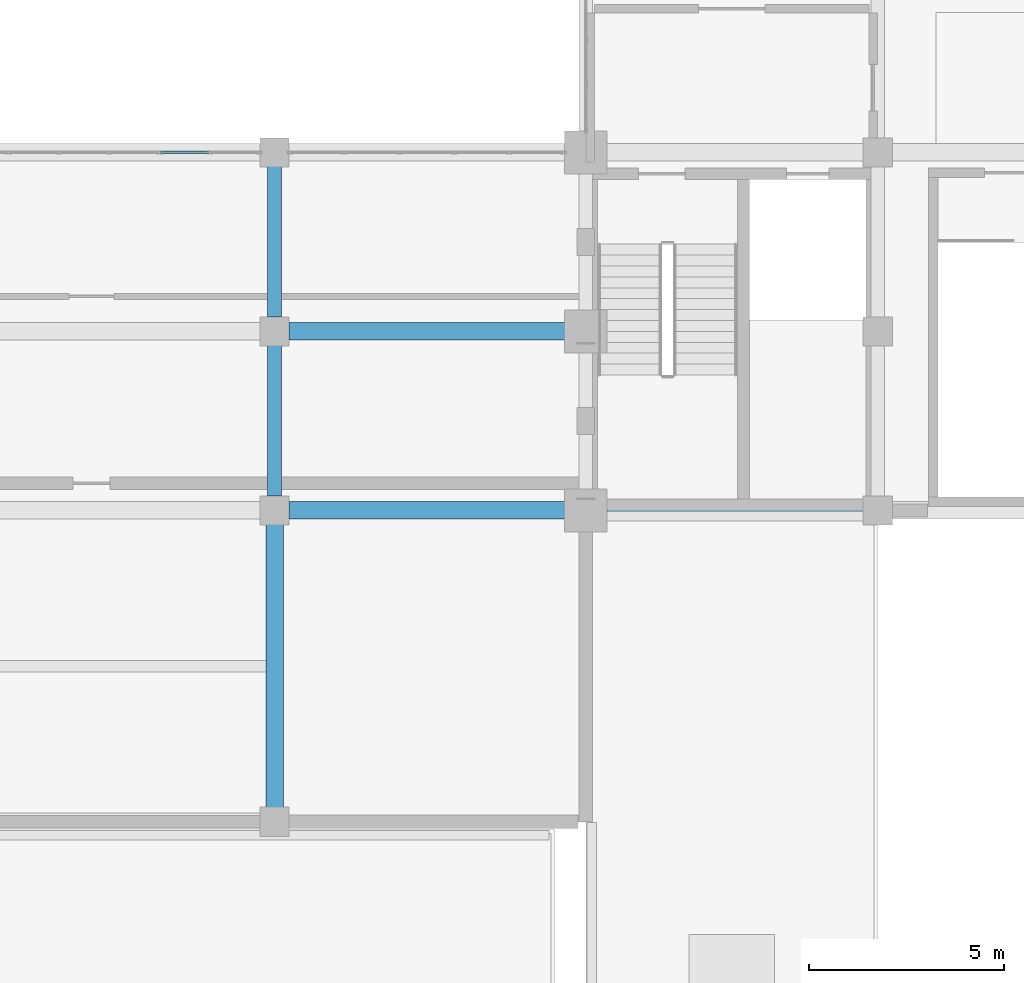
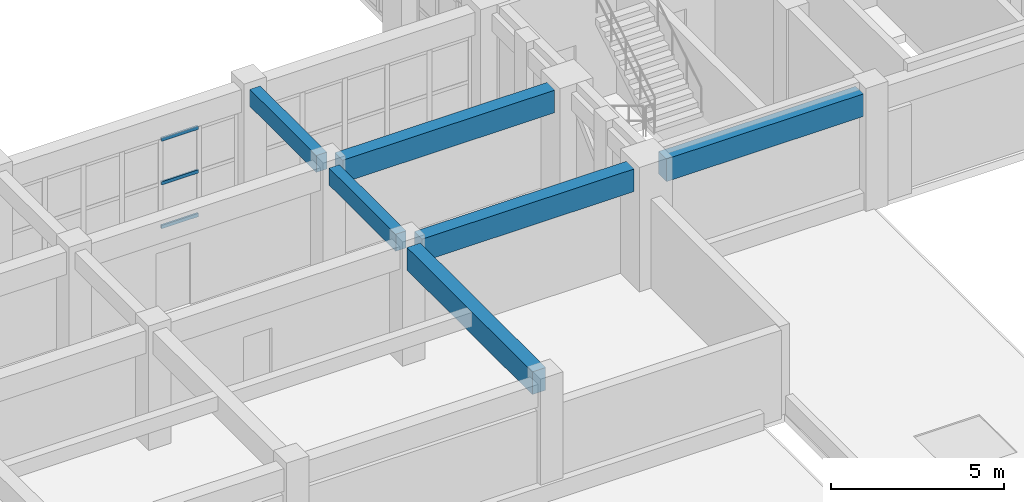
# One storey, part 5 of 90: 6 beams, 3 members, 1 element without a shape of its own.
"""IFC4 building model written with IfcOpenShell, lengths in metres."""

import ifcopenshell
import ifcopenshell.guid

model = None  # the IFC model being written
_history = None  # IfcOwnerHistory: only IFC2X3 demands one
_inside = {}  # id of a spatial element -> (the spatial element, [elements in it])
_under = {}  # id of a project, library or spatial element -> (it, [spatial elements below it])
_declared = {}  # id of a project -> (the project, [libraries it declares])
_typed = {}  # id of a type object -> (the type object, [elements of that type])
_made_of = {}  # id of a material, layer set ... -> (it, [elements and type objects made of it])


def new_model(schema):
    """Start an empty IFC model of exactly this schema.

    Asked for "IFC4X3", IfcOpenShell would pick the latest addendum, in which some entities
    have other attributes; the version numbers below select the first issue.
    IFC2X3 requires an IfcOwnerHistory on every rooted entity: one is made here for all.
    """
    global model, _history
    if schema == "IFC4X3":
        model = ifcopenshell.file(schema_version=(4, 3, 0, 0))
    else:
        model = ifcopenshell.file(schema=schema)
    _inside.clear()
    _under.clear()
    _declared.clear()
    _typed.clear()
    _made_of.clear()
    _history = None
    if model.schema == "IFC2X3":
        org = make("IfcOrganization", Name="unknown")
        user = make(
            "IfcPersonAndOrganization",
            ThePerson=make("IfcPerson", FamilyName="unknown"),
            TheOrganization=org,
        )
        app = make(
            "IfcApplication",
            ApplicationDeveloper=org,
            Version="unknown",
            ApplicationFullName="unknown",
            ApplicationIdentifier="unknown",
        )
        _history = make(
            "IfcOwnerHistory",
            OwningUser=user,
            OwningApplication=app,
            ChangeAction="ADDED",
            CreationDate=0,
        )
    return model


def make(cls, **values):
    """One entity of the class cls with the attributes given. An attribute that is None is left unset."""
    return model.create_entity(
        cls, **{name: value for name, value in values.items() if value is not None}
    )


def rooted(cls, **values):
    """An entity with a GlobalId (a new one), such as an element, a storey or a relation."""
    return make(cls, GlobalId=ifcopenshell.guid.new(), OwnerHistory=_history, **values)


def si_unit(unit_type, name, prefix=None):
    """IfcSIUnit, for example si_unit("LENGTHUNIT", "METRE", prefix="MILLI")."""
    return make("IfcSIUnit", UnitType=unit_type, Prefix=prefix, Name=name)


def assignment(units):
    """IfcUnitAssignment: the units of a project."""
    return None if units is None else make("IfcUnitAssignment", Units=units)


def point(xyz):
    """IfcCartesianPoint."""
    return None if xyz is None else make("IfcCartesianPoint", Coordinates=xyz)


def direction(xyz):
    """IfcDirection."""
    return None if xyz is None else make("IfcDirection", DirectionRatios=xyz)


def frame(location, z_axis=None, x_axis=None):
    """IfcAxis2Placement3D, a coordinate frame: its origin and axes. An axis left out is left unset."""
    return make(
        "IfcAxis2Placement3D",
        Location=point(location),
        Axis=direction(z_axis),
        RefDirection=direction(x_axis),
    )


def frame_2d(location, x_axis=None):
    """IfcAxis2Placement2D, a coordinate frame in the plane: its origin and x axis."""
    return make(
        "IfcAxis2Placement2D", Location=point(location), RefDirection=direction(x_axis)
    )


def origin():
    """The frame at (0, 0, 0) with its axes left unset."""
    return frame((0.0, 0.0, 0.0))


def origin_2d():
    """The frame at (0, 0) in the plane with its x axis left unset."""
    return frame_2d((0.0, 0.0))


def place(relative_to, where):
    """IfcLocalPlacement: puts the frame where relative to a parent placement (None: the world)."""
    return make(
        "IfcLocalPlacement", PlacementRelTo=relative_to, RelativePlacement=where
    )


def context(
    kind, dimensions, precision=None, world=None, true_north=None, identifier=None
):
    """IfcGeometricRepresentationContext, for example the 3D "Model" context."""
    return make(
        "IfcGeometricRepresentationContext",
        ContextIdentifier=identifier,
        ContextType=kind,
        CoordinateSpaceDimension=dimensions,
        Precision=precision,
        WorldCoordinateSystem=world,
        TrueNorth=true_north,
    )


def subcontext(parent, identifier, kind, view, scale=None):
    """IfcGeometricRepresentationSubContext, for example "Body" below "Model"."""
    return make(
        "IfcGeometricRepresentationSubContext",
        ContextIdentifier=identifier,
        ContextType=kind,
        ParentContext=parent,
        TargetScale=scale,
        TargetView=view,
    )


def project(units=None, contexts=None):
    """IfcProject with its units and contexts."""
    return rooted(
        "IfcProject",
        Name="project",
        RepresentationContexts=contexts,
        UnitsInContext=assignment(units),
    )


def spatial(cls, under=None, at=None, **own):
    """A site, building, storey or space (cls), placed at a placement, below another one or the project."""
    s = rooted(cls, ObjectPlacement=at, **own)
    if under is not None:
        _under.setdefault(under.id(), (under, []))[1].append(s)
    return s


def profile(cls, at=None, kind="AREA", **sizes):
    """A parametric profile (cls). Its sizes go by their IFC names, for example OverallWidth=200.0."""
    return make(cls, ProfileType=kind, Position=at, **sizes)


def rectangle(**sizes):
    """IfcRectangleProfileDef."""
    return profile("IfcRectangleProfileDef", **sizes)


def hollow_rectangle(**sizes):
    """IfcRectangleHollowProfileDef."""
    return profile("IfcRectangleHollowProfileDef", **sizes)


def extrude(swept, where, along, depth):
    """IfcExtrudedAreaSolid: the profile swept, set in the frame where, extruded along a direction by depth."""
    return make(
        "IfcExtrudedAreaSolid",
        SweptArea=swept,
        Position=where,
        ExtrudedDirection=direction(along),
        Depth=depth,
    )


def shape(context_of_items, identifier, shape_type, items):
    """IfcShapeRepresentation: the items that make up one representation, for example the "Body"."""
    return make(
        "IfcShapeRepresentation",
        ContextOfItems=context_of_items,
        RepresentationIdentifier=identifier,
        RepresentationType=shape_type,
        Items=items,
    )


def material(Name=None, Category=None):
    """IfcMaterial."""
    return make("IfcMaterial", Name=Name, Category=Category)


def layer(
    of_material, thickness, ventilated=None, Name=None, Category=None, Priority=None
):
    """IfcMaterialLayer: one layer of a wall or slab, of a material (None: an air gap)."""
    return make(
        "IfcMaterialLayer",
        Material=of_material,
        LayerThickness=thickness,
        IsVentilated=ventilated,
        Name=Name,
        Category=Category,
        Priority=Priority,
    )


def layer_set(layers, Name=None):
    """IfcMaterialLayerSet."""
    return make("IfcMaterialLayerSet", MaterialLayers=layers, LayerSetName=Name)


def material_profile(
    of_material, cross_section, Name=None, Category=None, Priority=None
):
    """IfcMaterialProfile: a cross section and its material."""
    return make(
        "IfcMaterialProfile",
        Name=Name,
        Material=of_material,
        Profile=cross_section,
        Priority=Priority,
        Category=Category,
    )


def profile_set(profiles, Name=None, composite=None):
    """IfcMaterialProfileSet."""
    return make(
        "IfcMaterialProfileSet",
        Name=Name,
        MaterialProfiles=profiles,
        CompositeProfile=composite,
    )


def made_of(thing, what):
    """Note that an element or type object is made of a material, layer set ...; save() writes the relation."""
    if what is not None:
        _made_of.setdefault(what.id(), (what, []))[1].append(thing)
    return thing


def type_object(cls, material=None, **own):
    """A type object (cls), such as IfcWallType, which elements share."""
    return made_of(rooted(cls, **own), material)


def element(
    cls,
    number,
    at=None,
    inside=None,
    cuts=None,
    type_object=None,
    material=None,
    context=None,
    identifier="Body",
    shape_type=None,
    held_by="IfcProductDefinitionShape",
    body=None,
    shapes=None,
    **own,
):
    """One element of the class cls, such as IfcWall. Its Tag is "e" and its number.

    at: its placement. inside: the storey or other place that contains it. cuts: it is an
    opening in that element (IfcRelVoidsElement). A single representation is given by context,
    identifier, shape_type and body (its items); several are given by shapes. held_by: the class
    of the entity that holds the representations. save() writes the other relations.
    """
    e = rooted(cls, Tag="e%d" % number, ObjectPlacement=at, **own)
    if body is not None:
        shapes = [shape(context, identifier, shape_type, body)]
    if shapes is not None:
        e.Representation = make(held_by, Representations=shapes)
    if inside is not None:
        _inside.setdefault(inside.id(), (inside, []))[1].append(e)
    if cuts is not None:
        rooted(
            "IfcRelVoidsElement", RelatingBuildingElement=cuts, RelatedOpeningElement=e
        )
    if type_object is not None:
        _typed.setdefault(type_object.id(), (type_object, []))[1].append(e)
    return made_of(e, material)


def aggregate(whole, parts):
    """IfcRelAggregates: a whole, such as a stair, and the parts it consists of."""
    return rooted("IfcRelAggregates", RelatingObject=whole, RelatedObjects=parts)


def save(model, path):
    """Write the relations noted so far, then the file.

    IfcRelAggregates (storeys below a building ...), IfcRelContainedInSpatialStructure (elements
    in a storey), IfcRelDefinesByType, IfcRelAssociatesMaterial and IfcRelDeclares: one each for
    every whole, place, type object, material and project.
    """
    for whole, parts in _under.values():
        aggregate(whole, parts)
    for where, things in _inside.values():
        rooted(
            "IfcRelContainedInSpatialStructure",
            RelatedElements=things,
            RelatingStructure=where,
        )
    for kind, things in _typed.values():
        rooted("IfcRelDefinesByType", RelatedObjects=things, RelatingType=kind)
    for what, things in _made_of.values():
        rooted("IfcRelAssociatesMaterial", RelatedObjects=things, RelatingMaterial=what)
    for by, libraries in _declared.values():
        rooted("IfcRelDeclares", RelatingContext=by, RelatedDefinitions=libraries)
    model.write(path)


model = new_model("IFC4")

# Units and contexts
model_context = context("Model", 3, precision=1e-05, world=origin(), true_north=direction((0.0, 1.0)))
body_context = subcontext(model_context, "Body", "Model", "MODEL_VIEW")
ifc_project = project(units=[si_unit("LENGTHUNIT", "METRE"), si_unit("AREAUNIT", "SQUARE_METRE"), si_unit("VOLUMEUNIT", "CUBIC_METRE"), si_unit("PLANEANGLEUNIT", "RADIAN"), si_unit("MASSUNIT", "GRAM", prefix="KILO")], contexts=[model_context])

# Site, building, storey
site_placement = place(None, origin())
site = spatial("IfcSite", under=ifc_project, at=site_placement, CompositionType="ELEMENT")
building_placement = place(site_placement, origin())
building = spatial("IfcBuilding", under=site, at=building_placement, Name="Muzn Square Opera House", CompositionType="ELEMENT")
storey_placement = place(building_placement, frame((0.0, 0.0, 9.800048828125)))
storey = spatial("IfcBuildingStorey", under=building, at=storey_placement, Name="L02", CompositionType="ELEMENT", Elevation=9.800048828125)

# Curtain wall, members
ifc_material_1 = material(Name="Low-E laminated acoustic double glazing", Category="glass")
ifc_layer = layer(ifc_material_1, 0.159912109375, Name="Low-E laminated acoustic double glazing", Category="glass")
ifc_layer_set = layer_set([ifc_layer], Name="Low-E laminated acoustic double glazing")
curtain_wall_type = type_object("IfcCurtainWallType", Name="Glazed Curtain Wall WestCloisterS 7750x3150", PredefinedType="USERDEFINED", material=ifc_layer_set)
curtain_wall_placement = place(storey_placement, origin())
curtain_wall = element("IfcCurtainWall", 1, at=curtain_wall_placement, inside=storey, type_object=curtain_wall_type, Name="Glazed Curtain Wall CW-L02-095", ObjectType="GLAZED CURTAIN WALL", PredefinedType="USERDEFINED")
ifc_material_2 = material(Name="Anodised bronze aluminium 6063-T6", Category="metal")
ifc_material_profile_1 = material_profile(ifc_material_2, hollow_rectangle(XDim=0.06005859375, YDim=0.1201171875, WallThickness=0.00390625, at=origin_2d()), Name="ALU 120x60x4", Category="metal")
ifc_profile_set_1 = profile_set([ifc_material_profile_1], Name="Anodised bronze aluminium 6063-T6")
member_type = type_object("IfcMemberType", Name="Curtain Wall Transom 120x60", PredefinedType="USERDEFINED", material=ifc_profile_set_1)
member_1_placement = place(storey_placement, frame((32.07177734375, 31.199951171875, 0.030029296875), z_axis=(1.0, 0.0, 0.0), x_axis=(0.0, 1.0, 0.0)))
member_1 = element("IfcMember", 2, at=member_1_placement, type_object=member_type, Name="CW-WCS-77x31 transom 5.1", ObjectType="TRANSOM", PredefinedType="USERDEFINED", context=body_context, shape_type="SweptSolid", body=[
    extrude(hollow_rectangle(XDim=0.06005859375, YDim=0.1201171875, WallThickness=0.00390625, at=origin_2d()), origin(), (0.0, 0.0, 1.0), 1.2314453125),
])
member_2_placement = place(storey_placement, frame((32.07177734375, 31.199951171875, 1.574951171875), z_axis=(1.0, 0.0, 0.0), x_axis=(0.0, 1.0, 0.0)))
member_2 = element("IfcMember", 3, at=member_2_placement, type_object=member_type, Name="CW-WCS-77x31 transom 5.2", ObjectType="TRANSOM", PredefinedType="USERDEFINED", context=body_context, shape_type="SweptSolid", body=[
    extrude(hollow_rectangle(XDim=0.06005859375, YDim=0.1201171875, WallThickness=0.00390625, at=origin_2d()), origin(), (0.0, 0.0, 1.0), 1.2314453125),
])
member_3_placement = place(storey_placement, frame((32.07177734375, 31.199951171875, 3.119873046875), z_axis=(1.0, 0.0, 0.0), x_axis=(0.0, 1.0, 0.0)))
member_3 = element("IfcMember", 4, at=member_3_placement, type_object=member_type, Name="CW-WCS-77x31 transom 5.3", ObjectType="TRANSOM", PredefinedType="USERDEFINED", context=body_context, shape_type="SweptSolid", body=[
    extrude(hollow_rectangle(XDim=0.06005859375, YDim=0.1201171875, WallThickness=0.00390625, at=origin_2d()), origin(), (0.0, 0.0, 1.0), 1.2314453125),
])
aggregate(curtain_wall, [member_1, member_2, member_3])

# Beams
ifc_material_3 = material(Name="Concrete C40/50", Category="concrete")
ifc_material_profile_2 = material_profile(ifc_material_3, rectangle(XDim=0.35009765625, YDim=0.60009765625, at=origin_2d()), Name="RCB 350x600", Category="concrete")
ifc_profile_set_2 = profile_set([ifc_material_profile_2], Name="Concrete C40/50")
beam_type_1 = type_object("IfcBeamType", Name="Primary Girder 350x600", PredefinedType="BEAM", material=ifc_profile_set_2)
for number, where, z_axis, x_axis, name in (
    (5, (35.0, 22.366943359375, 3.849853515625), (0.0, 1.0, 0.0), (-1.0, 0.0, 0.0), "Primary Girder BM-L02-BM-PG600-350_224_350_262-2143"),
    (6, (35.0, 26.967041015625, 3.849853515625), (0.0, 1.0, 0.0), (-1.0, 0.0, 0.0), "Primary Girder BM-L02-BM-PG600-350_270_350_308-2144"),
):
    element("IfcBeam", number, at=place(storey_placement, frame(where, z_axis=z_axis, x_axis=x_axis)), inside=storey, type_object=beam_type_1, Name=name, PredefinedType="BEAM", context=body_context, shape_type="SweptSolid", body=[
        extrude(rectangle(XDim=0.35009765625, YDim=0.60009765625, at=origin_2d()), origin(), (0.0, 0.0, 1.0), 3.865966796875),
    ])
ifc_material_profile_3 = material_profile(ifc_material_3, rectangle(XDim=0.449951171875, YDim=0.800048828125, at=origin_2d()), Name="RCB 450x800", Category="concrete")
ifc_profile_set_3 = profile_set([ifc_material_profile_3], Name="Concrete C40/50")
beam_type_2 = type_object("IfcBeamType", Name="Primary Girder 450x800", PredefinedType="BEAM", material=ifc_profile_set_3)
beam_1_placement = place(storey_placement, frame((35.366943359375, 22.0, 3.75), z_axis=(1.0, 0.0, 0.0), x_axis=(0.0, 1.0, 0.0)))
element("IfcBeam", 7, at=beam_1_placement, inside=storey, type_object=beam_type_2, Name="Primary Girder BM-L02-BM-PG800-354_220_425_220-1948", PredefinedType="BEAM", context=body_context, shape_type="SweptSolid", body=[
    extrude(rectangle(XDim=0.449951171875, YDim=0.800048828125, at=origin_2d()), origin(), (0.0, 0.0, 1.0), 7.091064453125),
])
beam_2_placement = place(storey_placement, frame((43.5419921875, 22.0, 3.719970703125), z_axis=(1.0, 0.0, 0.0), x_axis=(0.0, 1.0, 0.0)))
element("IfcBeam", 8, at=beam_2_placement, inside=storey, type_object=beam_type_2, Name="Primary Girder BM-L02-BM-PG800-435_220_501_220-1949", PredefinedType="BEAM", context=body_context, shape_type="SweptSolid", body=[
    extrude(rectangle(XDim=0.449951171875, YDim=0.800048828125, at=origin_2d()), origin(), (0.0, 0.0, 1.0), 6.591064453125),
])
beam_3_placement = place(storey_placement, frame((35.366943359375, 26.60009765625, 3.75), z_axis=(1.0, 0.0, 0.0), x_axis=(0.0, 1.0, 0.0)))
element("IfcBeam", 9, at=beam_3_placement, inside=storey, type_object=beam_type_2, Name="Primary Girder BM-L02-BM-PG800-354_266_425_266-1968", PredefinedType="BEAM", context=body_context, shape_type="SweptSolid", body=[
    extrude(rectangle(XDim=0.449951171875, YDim=0.800048828125, at=origin_2d()), origin(), (0.0, 0.0, 1.0), 7.091064453125),
])
beam_4_placement = place(storey_placement, frame((35.0, 14.366943359375, 3.75), z_axis=(0.0, 1.0, 0.0), x_axis=(-1.0, 0.0, 0.0)))
element("IfcBeam", 10, at=beam_4_placement, inside=storey, type_object=beam_type_2, Name="Primary Girder BM-L02-BM-PG800-350_144_350_216-2142", PredefinedType="BEAM", context=body_context, shape_type="SweptSolid", body=[
    extrude(rectangle(XDim=0.449951171875, YDim=0.800048828125, at=origin_2d()), origin(), (0.0, 0.0, 1.0), 7.26611328125),
])

save(model, "model.ifc")
